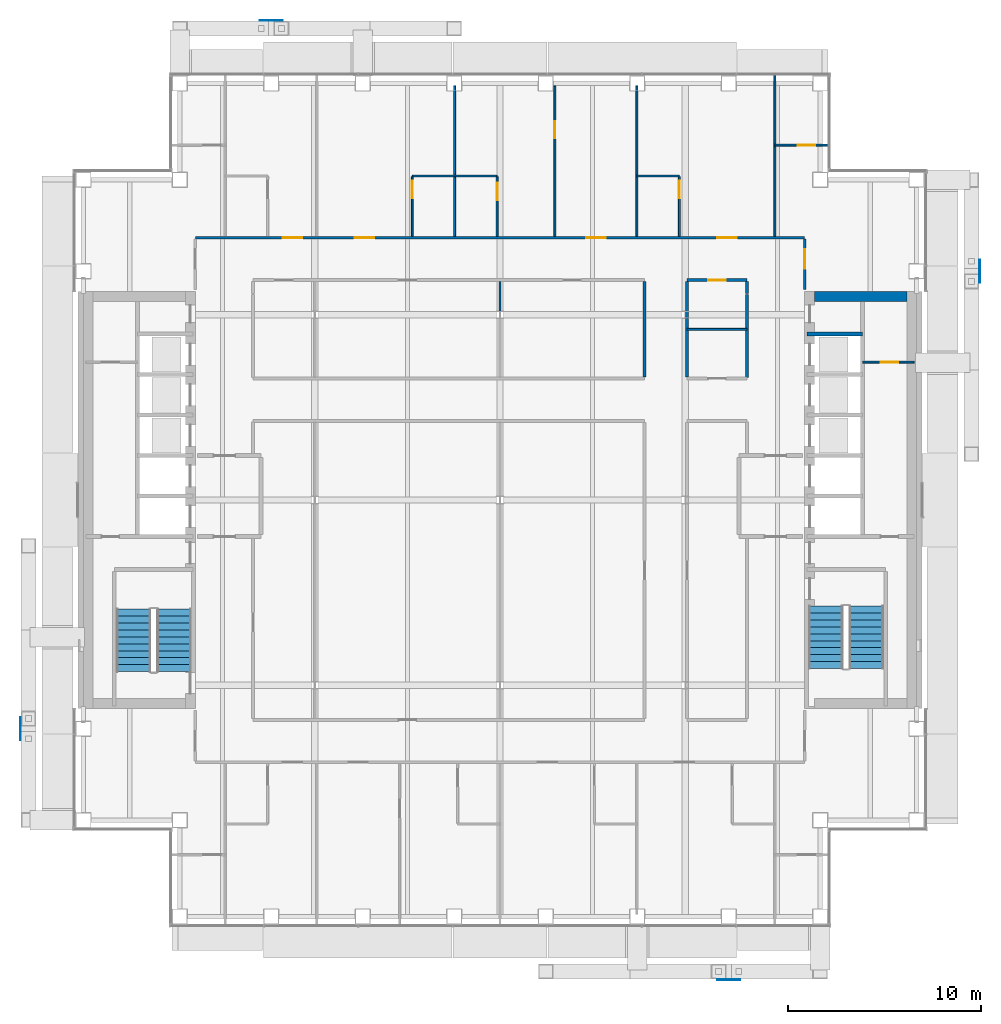
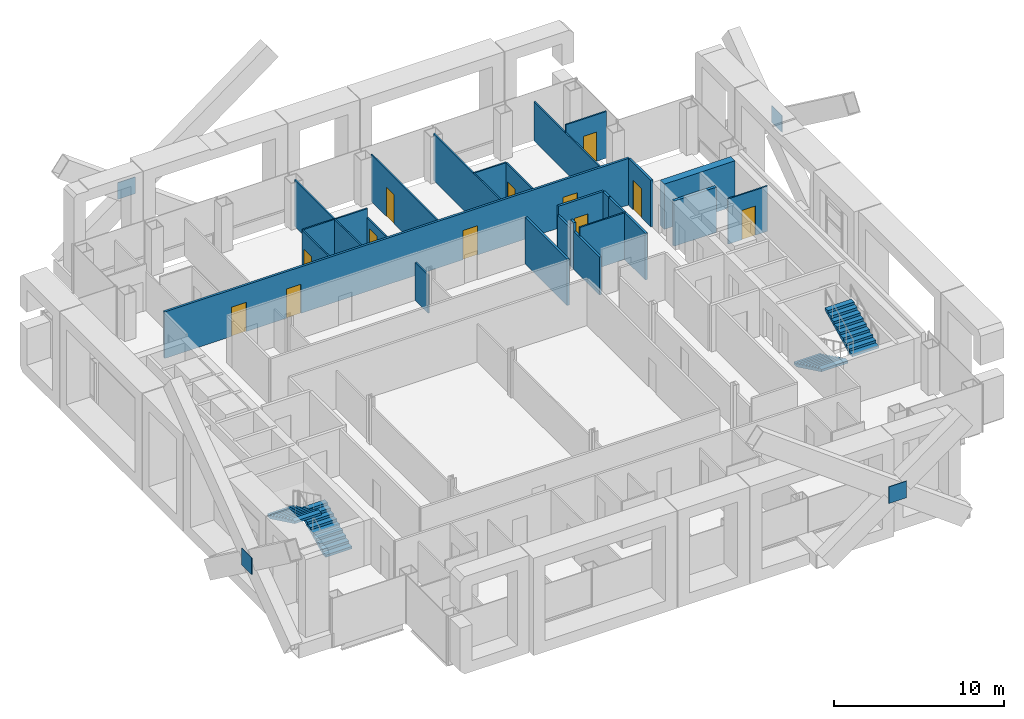
# One storey, part 15 of 22: 25 walls, 12 doors, 4 discrete accessories, 4 stair flights, 12 openings, 2 elements without a shape of their own.
"""IFC4 building model written with IfcOpenShell, lengths in metres."""

from ifc_helpers import new_model, si_unit, direction, frame, frame_2d, origin, origin_2d, place, context, subcontext, project, spatial, polyline, rectangle, outline, extrude, material, layer, layer_set, type_object, element, fill, aggregate, save


model = new_model("IFC4")

# Units and contexts
model_context = context("Model", 3, precision=1e-05, world=origin(), true_north=direction((0.0, 1.0)))
body_context = subcontext(model_context, "Body", "Model", "MODEL_VIEW")
ifc_project = project(units=[si_unit("LENGTHUNIT", "METRE"), si_unit("AREAUNIT", "SQUARE_METRE"), si_unit("VOLUMEUNIT", "CUBIC_METRE"), si_unit("PLANEANGLEUNIT", "RADIAN"), si_unit("MASSUNIT", "GRAM", prefix="KILO")], contexts=[model_context])

# Site, building, storey
site_placement = place(None, origin())
site = spatial("IfcSite", under=ifc_project, at=site_placement, CompositionType="ELEMENT")
building_placement = place(site_placement, origin())
building = spatial("IfcBuilding", under=site, at=building_placement, Name="Cobrizo Arcos Hotel Tower", CompositionType="ELEMENT")
storey_placement = place(building_placement, frame((0.0, 0.0, 176.0)))
storey = spatial("IfcBuildingStorey", under=building, at=storey_placement, Name="L45", CompositionType="ELEMENT", Elevation=176.0)

# Wall, opening, door
ifc_material_1 = material(Name="Gypsum board partition")
ifc_layer_1 = layer(ifc_material_1, 0.14990234375)
ifc_layer_set_1 = layer_set([ifc_layer_1], Name="Corridor wall EI 60 150")
wall_type_1 = type_object("IfcWallType", Name="Corridor wall EI 60 150", PredefinedType="PARTITIONING", material=ifc_layer_set_1)
wall_1_placement = place(storey_placement, frame((9.699951171875, 11.39990234375, 0.0), z_axis=(0.0, 0.0, 1.0), x_axis=(1.0, 0.0, 0.0)))
wall_1 = element("IfcWall", 1, at=wall_1_placement, inside=storey, type_object=wall_type_1, Name="Partition 036", PredefinedType="PARTITIONING", context=body_context, shape_type="SweptSolid", body=[
    extrude(rectangle(XDim=3.10009765625, YDim=0.14990234375, at=frame_2d((1.550048828125, 0.0))), origin(), (0.0, 0.0, 1.0), 3.35009765625),
])
opening_1_placement = place(wall_1_placement, frame((1.10009765625, 0.0, 0.0)))
opening_1 = element("IfcOpeningElement", 2, at=opening_1_placement, cuts=wall_1, Name="Opening ED-14", PredefinedType="OPENING", context=body_context, shape_type="SweptSolid", body=[
    extrude(rectangle(XDim=0.89990234375, YDim=2.10009765625, at=frame_2d((0.449951171875, 1.050048828125))), frame((0.0, 0.0869140625, 0.0), z_axis=(0.0, -1.0, 0.0), x_axis=(1.0, 0.0, 0.0)), (0.0, 0.0, 1.0), 0.173828125),
])
ifc_material_2 = material(Name="Timber door leaf", Category="wood")
door_type_1 = type_object("IfcDoorType", Name="En-suite door 900x2100", OperationType="SINGLE_SWING_LEFT", PredefinedType="DOOR", material=ifc_material_2)
door_1_placement = place(opening_1_placement, origin())
door_1 = element("IfcDoor", 3, at=door_1_placement, inside=storey, type_object=door_type_1, Name="Door ED-14", OperationType="SINGLE_SWING_RIGHT", OverallHeight=2.10009765625, OverallWidth=0.89990234375, PredefinedType="DOOR", context=body_context, shape_type="SweptSolid", body=[
    extrude(rectangle(XDim=0.89990234375, YDim=2.10009765625, at=frame_2d((0.449951171875, 1.050048828125))), frame((0.0, 0.02490234375, 0.0), z_axis=(0.0, -1.0, 0.0), x_axis=(1.0, 0.0, 0.0)), (0.0, 0.0, 1.0), 0.050048828125),
])
fill(opening_1, door_1)

# Wall, openings, doors
wall_2_placement = place(storey_placement, frame((-15.800048828125, 13.60009765625, 0.0), z_axis=(0.0, 0.0, 1.0), x_axis=(1.0, 0.0, 0.0)))
wall_2 = element("IfcWall", 4, at=wall_2_placement, inside=storey, type_object=wall_type_1, Name="Partition 037", PredefinedType="PARTITIONING", context=body_context, shape_type="SweptSolid", body=[
    extrude(rectangle(XDim=31.60009765625, YDim=0.14990234375, at=frame_2d((15.800048828125, 0.0))), origin(), (0.0, 0.0, 1.0), 3.35009765625),
])
opening_2_placement = place(wall_2_placement, frame((4.54296875, 0.0, 0.0)))
opening_2 = element("IfcOpeningElement", 5, at=opening_2_placement, cuts=wall_2, Name="Opening GD-01", PredefinedType="OPENING", context=body_context, shape_type="SweptSolid", body=[
    extrude(rectangle(XDim=1.0, YDim=2.10009765625, at=frame_2d((0.5, 1.050048828125))), frame((0.0, 0.0869140625, 0.0), z_axis=(0.0, -1.0, 0.0), x_axis=(1.0, 0.0, 0.0)), (0.0, 0.0, 1.0), 0.173828125),
])
opening_3_placement = place(wall_2_placement, frame((8.27099609375, 0.0, 0.0)))
opening_3 = element("IfcOpeningElement", 6, at=opening_3_placement, cuts=wall_2, Name="Opening GD-02", PredefinedType="OPENING", context=body_context, shape_type="SweptSolid", body=[
    extrude(rectangle(XDim=1.0, YDim=2.10009765625, at=frame_2d((0.5, 1.050048828125))), frame((0.0, 0.0869140625, 0.0), z_axis=(0.0, -1.0, 0.0), x_axis=(1.0, 0.0, 0.0)), (0.0, 0.0, 1.0), 0.173828125),
])
opening_4_placement = place(wall_2_placement, frame((20.280029296875, 0.0, 0.0)))
opening_4 = element("IfcOpeningElement", 7, at=opening_4_placement, cuts=wall_2, Name="Opening GD-03", PredefinedType="OPENING", context=body_context, shape_type="SweptSolid", body=[
    extrude(rectangle(XDim=1.0, YDim=2.10009765625, at=frame_2d((0.5, 1.050048828125))), frame((0.0, 0.0869140625, 0.0), z_axis=(0.0, -1.0, 0.0), x_axis=(1.0, 0.0, 0.0)), (0.0, 0.0, 1.0), 0.173828125),
])
opening_5_placement = place(wall_2_placement, frame((27.072021484375, 0.0, 0.0)))
opening_5 = element("IfcOpeningElement", 8, at=opening_5_placement, cuts=wall_2, Name="Opening GD-04", PredefinedType="OPENING", context=body_context, shape_type="SweptSolid", body=[
    extrude(rectangle(XDim=1.0, YDim=2.10009765625, at=frame_2d((0.5, 1.050048828125))), frame((0.0, 0.0869140625, 0.0), z_axis=(0.0, -1.0, 0.0), x_axis=(1.0, 0.0, 0.0)), (0.0, 0.0, 1.0), 0.173828125),
])
door_type_2 = type_object("IfcDoorType", Name="Guest room door FD30S 1000x2100", OperationType="SINGLE_SWING_LEFT", PredefinedType="DOOR", material=ifc_material_2)
door_2_placement = place(opening_2_placement, origin())
door_2 = element("IfcDoor", 9, at=door_2_placement, inside=storey, type_object=door_type_2, Name="Door GD-01", OperationType="SINGLE_SWING_RIGHT", OverallHeight=2.10009765625, OverallWidth=1.0, PredefinedType="DOOR", context=body_context, shape_type="SweptSolid", body=[
    extrude(rectangle(XDim=1.0, YDim=2.10009765625, at=frame_2d((0.5, 1.050048828125))), frame((0.0, 0.02490234375, 0.0), z_axis=(0.0, -1.0, 0.0), x_axis=(1.0, 0.0, 0.0)), (0.0, 0.0, 1.0), 0.050048828125),
])
fill(opening_2, door_2)
door_3_placement = place(opening_3_placement, origin())
door_3 = element("IfcDoor", 10, at=door_3_placement, inside=storey, type_object=door_type_2, Name="Door GD-02", OperationType="SINGLE_SWING_RIGHT", OverallHeight=2.10009765625, OverallWidth=1.0, PredefinedType="DOOR", context=body_context, shape_type="SweptSolid", body=[
    extrude(rectangle(XDim=1.0, YDim=2.10009765625, at=frame_2d((0.5, 1.050048828125))), frame((0.0, 0.02490234375, 0.0), z_axis=(0.0, -1.0, 0.0), x_axis=(1.0, 0.0, 0.0)), (0.0, 0.0, 1.0), 0.050048828125),
])
fill(opening_3, door_3)
door_4_placement = place(opening_4_placement, origin())
door_4 = element("IfcDoor", 11, at=door_4_placement, inside=storey, type_object=door_type_2, Name="Door GD-03", OperationType="SINGLE_SWING_RIGHT", OverallHeight=2.10009765625, OverallWidth=1.0, PredefinedType="DOOR", context=body_context, shape_type="SweptSolid", body=[
    extrude(rectangle(XDim=1.0, YDim=2.10009765625, at=frame_2d((0.5, 1.050048828125))), frame((0.0, 0.02490234375, 0.0), z_axis=(0.0, -1.0, 0.0), x_axis=(1.0, 0.0, 0.0)), (0.0, 0.0, 1.0), 0.050048828125),
])
fill(opening_4, door_4)
door_5_placement = place(opening_5_placement, origin())
door_5 = element("IfcDoor", 12, at=door_5_placement, inside=storey, type_object=door_type_2, Name="Door GD-04", OperationType="SINGLE_SWING_RIGHT", OverallHeight=2.10009765625, OverallWidth=1.0, PredefinedType="DOOR", context=body_context, shape_type="SweptSolid", body=[
    extrude(rectangle(XDim=1.0, YDim=2.10009765625, at=frame_2d((0.5, 1.050048828125))), frame((0.0, 0.02490234375, 0.0), z_axis=(0.0, -1.0, 0.0), x_axis=(1.0, 0.0, 0.0)), (0.0, 0.0, 1.0), 0.050048828125),
])
fill(opening_5, door_5)

# Walls
wall_3_placement = place(storey_placement, frame((7.5, 6.375, 0.0), z_axis=(0.0, 0.0, 1.0), x_axis=(0.0, 1.0, 0.0)))
element("IfcWall", 13, at=wall_3_placement, inside=storey, type_object=wall_type_1, Name="Partition 087", PredefinedType="PARTITIONING", context=body_context, shape_type="SweptSolid", body=[
    extrude(rectangle(XDim=4.949951171875, YDim=0.14990234375, at=frame_2d((2.47509765625, 0.0))), origin(), (0.0, 0.0, 1.0), 3.35009765625),
])
wall_4_placement = place(storey_placement, frame((9.699951171875, 6.375, 0.0), z_axis=(0.0, 0.0, 1.0), x_axis=(0.0, 1.0, 0.0)))
element("IfcWall", 14, at=wall_4_placement, inside=storey, type_object=wall_type_1, Name="Partition 094", PredefinedType="PARTITIONING", context=body_context, shape_type="SweptSolid", body=[
    extrude(rectangle(XDim=3.0380859375, YDim=0.14990234375, at=frame_2d((1.51904296875, 0.0))), origin(), (0.0, 0.0, 1.0), 2.72802734375),
])
wall_5_placement = place(storey_placement, frame((9.699951171875, 9.4130859375, 0.0), z_axis=(0.0, 0.0, 1.0), x_axis=(0.0, 1.0, 0.0)))
element("IfcWall", 15, at=wall_5_placement, inside=storey, type_object=wall_type_1, Name="Partition 095", PredefinedType="PARTITIONING", context=body_context, shape_type="SweptSolid", body=[
    extrude(rectangle(XDim=0.3740234375, YDim=0.14990234375, at=frame_2d((0.18701171875, 0.0))), origin(), (0.0, 0.0, 1.0), 3.35009765625),
])
wall_6_placement = place(storey_placement, frame((9.699951171875, 9.787109375, 0.0), z_axis=(0.0, 0.0, 1.0), x_axis=(0.0, 1.0, 0.0)))
element("IfcWall", 16, at=wall_6_placement, inside=storey, type_object=wall_type_1, Name="Partition 096", PredefinedType="PARTITIONING", context=body_context, shape_type="SweptSolid", body=[
    extrude(rectangle(XDim=1.537841796875, YDim=0.14990234375, at=frame_2d((0.76904296875, 0.0))), origin(), (0.0, 0.0, 1.0), 2.72802734375),
])
wall_7_placement = place(storey_placement, frame((12.800048828125, 6.35009765625, 0.0), z_axis=(0.0, 0.0, 1.0), x_axis=(0.0, 1.0, 0.0)))
element("IfcWall", 17, at=wall_7_placement, inside=storey, type_object=wall_type_1, Name="Partition 101", PredefinedType="PARTITIONING", context=body_context, shape_type="SweptSolid", body=[
    extrude(rectangle(XDim=4.2998046875, YDim=0.14990234375, at=frame_2d((2.14990234375, 0.0))), origin(), (0.0, 0.0, 1.0), 3.35009765625),
])
wall_8_placement = place(storey_placement, frame((12.800048828125, 10.699951171875, 0.0), z_axis=(0.0, 0.0, 1.0), x_axis=(0.0, 1.0, 0.0)))
element("IfcWall", 18, at=wall_8_placement, inside=storey, type_object=wall_type_1, Name="Partition 102", PredefinedType="PARTITIONING", context=body_context, shape_type="SweptSolid", body=[
    extrude(rectangle(XDim=0.625, YDim=0.14990234375, at=frame_2d((0.3125, 0.0))), origin(), (0.0, 0.0, 1.0), 3.35009765625),
])

# Wall, opening, door
wall_9_placement = place(storey_placement, frame((15.800048828125, 10.919921875, 0.0), z_axis=(0.0, 0.0, 1.0), x_axis=(0.0, 1.0, 0.0)))
wall_9 = element("IfcWall", 19, at=wall_9_placement, inside=storey, type_object=wall_type_1, Name="Partition 106", PredefinedType="PARTITIONING", context=body_context, shape_type="SweptSolid", body=[
    extrude(rectangle(XDim=2.60498046875, YDim=0.14990234375, at=frame_2d((1.302490234375, 0.0))), origin(), (0.0, 0.0, 1.0), 3.35009765625),
])
opening_6_placement = place(wall_9_placement, frame((1.080078125, 0.0, 0.0)))
opening_6 = element("IfcOpeningElement", 20, at=opening_6_placement, cuts=wall_9, Name="Opening GD-12", PredefinedType="OPENING", context=body_context, shape_type="SweptSolid", body=[
    extrude(rectangle(XDim=1.0, YDim=2.10009765625, at=frame_2d((0.5, 1.050048828125))), frame((0.0, 0.0869140625, 0.0), z_axis=(0.0, -1.0, 0.0), x_axis=(1.0, 0.0, 0.0)), (0.0, 0.0, 1.0), 0.173828125),
])
door_6_placement = place(opening_6_placement, origin())
door_6 = element("IfcDoor", 21, at=door_6_placement, inside=storey, type_object=door_type_2, Name="Door GD-12", OperationType="SINGLE_SWING_RIGHT", OverallHeight=2.10009765625, OverallWidth=1.0, PredefinedType="DOOR", context=body_context, shape_type="SweptSolid", body=[
    extrude(rectangle(XDim=1.0, YDim=2.10009765625, at=frame_2d((0.5, 1.050048828125))), frame((0.0, 0.02490234375, 0.0), z_axis=(0.0, -1.0, 0.0), x_axis=(1.0, 0.0, 0.0)), (0.0, 0.0, 1.0), 0.050048828125),
])
fill(opening_6, door_6)

ifc_layer_2 = layer(ifc_material_1, 0.10009765625)
ifc_layer_set_2 = layer_set([ifc_layer_2], Name="Partition EI 30 100")
wall_type_2 = type_object("IfcWallType", Name="Partition EI 30 100", PredefinedType="PARTITIONING", material=ifc_layer_set_2)
wall_10_placement = place(storey_placement, frame((18.800048828125, 7.14990234375, 0.0), z_axis=(0.0, 0.0, 1.0), x_axis=(1.0, 0.0, 0.0)))
wall_10 = element("IfcWall", 22, at=wall_10_placement, inside=storey, type_object=wall_type_2, Name="Partition 031", PredefinedType="PARTITIONING", context=body_context, shape_type="SweptSolid", body=[
    extrude(rectangle(XDim=2.679931640625, YDim=0.10009765625, at=frame_2d((1.33984375, 0.0))), origin(), (0.0, 0.0, 1.0), 3.25),
])
opening_7_placement = place(wall_10_placement, frame((0.949951171875, 0.0, 0.0)))
opening_7 = element("IfcOpeningElement", 23, at=opening_7_placement, cuts=wall_10, Name="Opening RD-06", PredefinedType="OPENING", context=body_context, shape_type="SweptSolid", body=[
    extrude(rectangle(XDim=0.89990234375, YDim=2.10009765625, at=frame_2d((0.449951171875, 1.050048828125))), frame((0.0, 0.06201171875, 0.0), z_axis=(0.0, -1.0, 0.0), x_axis=(1.0, 0.0, 0.0)), (0.0, 0.0, 1.0), 0.1240234375),
])
door_type_3 = type_object("IfcDoorType", Name="Room door FD30 900x2100", OperationType="SINGLE_SWING_LEFT", PredefinedType="DOOR", material=ifc_material_2)
door_7_placement = place(opening_7_placement, origin())
door_7 = element("IfcDoor", 24, at=door_7_placement, inside=storey, type_object=door_type_3, Name="Door RD-06", OperationType="SINGLE_SWING_LEFT", OverallHeight=2.10009765625, OverallWidth=0.89990234375, PredefinedType="DOOR", context=body_context, shape_type="SweptSolid", body=[
    extrude(rectangle(XDim=0.89990234375, YDim=2.10009765625, at=frame_2d((0.449951171875, 1.050048828125))), frame((0.0, 0.02490234375, 0.0), z_axis=(0.0, -1.0, 0.0), x_axis=(1.0, 0.0, 0.0)), (0.0, 0.0, 1.0), 0.050048828125),
])
fill(opening_7, door_7)

# Walls
wall_11_placement = place(storey_placement, frame((9.699951171875, 8.85009765625, 0.0), z_axis=(0.0, 0.0, 1.0), x_axis=(1.0, 0.0, 0.0)))
element("IfcWall", 25, at=wall_11_placement, inside=storey, type_object=wall_type_2, Name="Partition 034", PredefinedType="PARTITIONING", context=body_context, shape_type="SweptSolid", body=[
    extrude(rectangle(XDim=3.10009765625, YDim=0.10009765625, at=frame_2d((1.550048828125, 0.0))), origin(), (0.0, 0.0, 1.0), 3.35009765625),
])
wall_12_placement = place(storey_placement, frame((-4.550048828125, 16.800048828125, 0.0), z_axis=(0.0, 0.0, 1.0), x_axis=(1.0, 0.0, 0.0)))
element("IfcWall", 26, at=wall_12_placement, inside=storey, type_object=wall_type_2, Name="Partition 039", PredefinedType="PARTITIONING", context=body_context, shape_type="SweptSolid", body=[
    extrude(rectangle(XDim=4.400146484375, YDim=0.10009765625, at=frame_2d((2.2001953125, 0.0))), origin(), (0.0, 0.0, 1.0), 3.35009765625),
])
wall_13_placement = place(storey_placement, frame((7.10009765625, 16.800048828125, 0.0), z_axis=(0.0, 0.0, 1.0), x_axis=(1.0, 0.0, 0.0)))
element("IfcWall", 27, at=wall_13_placement, inside=storey, type_object=wall_type_2, Name="Partition 040", PredefinedType="PARTITIONING", context=body_context, shape_type="SweptSolid", body=[
    extrude(rectangle(XDim=2.199951171875, YDim=0.10009765625, at=frame_2d((1.10009765625, 0.0))), origin(), (0.0, 0.0, 1.0), 3.35009765625),
])

# Wall, opening, door
wall_14_placement = place(storey_placement, frame((14.25, 18.39990234375, 0.0), z_axis=(0.0, 0.0, 1.0), x_axis=(1.0, 0.0, 0.0)))
wall_14 = element("IfcWall", 28, at=wall_14_placement, inside=storey, type_object=wall_type_2, Name="Partition 042", PredefinedType="PARTITIONING", context=body_context, shape_type="SweptSolid", body=[
    extrude(rectangle(XDim=2.780029296875, YDim=0.10009765625, at=frame_2d((1.39013671875, 0.0))), origin(), (0.0, 0.0, 1.0), 3.35009765625),
])
opening_8_placement = place(wall_14_placement, frame((1.18896484375, 0.0, 0.0)))
opening_8 = element("IfcOpeningElement", 29, at=opening_8_placement, cuts=wall_14, Name="Opening ED-12", PredefinedType="OPENING", context=body_context, shape_type="SweptSolid", body=[
    extrude(rectangle(XDim=0.89990234375, YDim=2.10009765625, at=frame_2d((0.449951171875, 1.050048828125))), frame((0.0, 0.06201171875, 0.0), z_axis=(0.0, -1.0, 0.0), x_axis=(1.0, 0.0, 0.0)), (0.0, 0.0, 1.0), 0.1240234375),
])
door_8_placement = place(opening_8_placement, origin())
door_8 = element("IfcDoor", 30, at=door_8_placement, inside=storey, type_object=door_type_1, Name="Door ED-12", OperationType="SINGLE_SWING_RIGHT", OverallHeight=2.10009765625, OverallWidth=0.89990234375, PredefinedType="DOOR", context=body_context, shape_type="SweptSolid", body=[
    extrude(rectangle(XDim=0.89990234375, YDim=2.10009765625, at=frame_2d((0.449951171875, 1.050048828125))), frame((0.0, 0.02490234375, 0.0), z_axis=(0.0, -1.0, 0.0), x_axis=(1.0, 0.0, 0.0)), (0.0, 0.0, 1.0), 0.050048828125),
])
fill(opening_8, door_8)

wall_15_placement = place(storey_placement, frame((-4.550048828125, 13.675048828125, 0.0), z_axis=(0.0, 0.0, 1.0), x_axis=(0.0, 1.0, 0.0)))
wall_15 = element("IfcWall", 31, at=wall_15_placement, inside=storey, type_object=wall_type_2, Name="Partition 068", PredefinedType="PARTITIONING", context=body_context, shape_type="SweptSolid", body=[
    extrude(rectangle(XDim=3.074951171875, YDim=0.10009765625, at=frame_2d((1.53759765625, 0.0))), origin(), (0.0, 0.0, 1.0), 3.35009765625),
])
opening_9_placement = place(wall_15_placement, frame((1.970947265625, 0.0, 0.0)))
opening_9 = element("IfcOpeningElement", 32, at=opening_9_placement, cuts=wall_15, Name="Opening ED-02", PredefinedType="OPENING", context=body_context, shape_type="SweptSolid", body=[
    extrude(rectangle(XDim=0.89990234375, YDim=2.10009765625, at=frame_2d((0.449951171875, 1.050048828125))), frame((0.0, 0.06201171875, 0.0), z_axis=(0.0, -1.0, 0.0), x_axis=(1.0, 0.0, 0.0)), (0.0, 0.0, 1.0), 0.1240234375),
])
door_9_placement = place(opening_9_placement, origin())
door_9 = element("IfcDoor", 33, at=door_9_placement, inside=storey, type_object=door_type_1, Name="Door ED-02", OperationType="SINGLE_SWING_RIGHT", OverallHeight=2.10009765625, OverallWidth=0.89990234375, PredefinedType="DOOR", context=body_context, shape_type="SweptSolid", body=[
    extrude(rectangle(XDim=0.89990234375, YDim=2.10009765625, at=frame_2d((0.449951171875, 1.050048828125))), frame((0.0, 0.02490234375, 0.0), z_axis=(0.0, -1.0, 0.0), x_axis=(1.0, 0.0, 0.0)), (0.0, 0.0, 1.0), 0.050048828125),
])
fill(opening_9, door_9)

# Walls
wall_16_placement = place(storey_placement, frame((-2.35009765625, 13.675048828125, 0.0), z_axis=(0.0, 0.0, 1.0), x_axis=(0.0, 1.0, 0.0)))
element("IfcWall", 34, at=wall_16_placement, inside=storey, type_object=wall_type_2, Name="Partition 069", PredefinedType="PARTITIONING", context=body_context, shape_type="SweptSolid", body=[
    extrude(rectangle(XDim=3.074951171875, YDim=0.10009765625, at=frame_2d((1.53759765625, 0.0))), origin(), (0.0, 0.0, 1.0), 3.35009765625),
])
wall_17_placement = place(storey_placement, frame((-2.35009765625, 16.85009765625, 0.0), z_axis=(0.0, 0.0, 1.0), x_axis=(0.0, 1.0, 0.0)))
element("IfcWall", 35, at=wall_17_placement, inside=storey, type_object=wall_type_2, Name="Partition 070", PredefinedType="PARTITIONING", context=body_context, shape_type="SweptSolid", body=[
    extrude(rectangle(XDim=4.6298828125, YDim=0.10009765625, at=frame_2d((2.31494140625, 0.0))), origin(), (0.0, 0.0, 1.0), 3.35009765625),
])

# Wall, opening, door
wall_18_placement = place(storey_placement, frame((-0.14990234375, 13.675048828125, 0.0), z_axis=(0.0, 0.0, 1.0), x_axis=(0.0, 1.0, 0.0)))
wall_18 = element("IfcWall", 36, at=wall_18_placement, inside=storey, type_object=wall_type_2, Name="Partition 072", PredefinedType="PARTITIONING", context=body_context, shape_type="SweptSolid", body=[
    extrude(rectangle(XDim=3.074951171875, YDim=0.10009765625, at=frame_2d((1.53759765625, 0.0))), origin(), (0.0, 0.0, 1.0), 2.72802734375),
])
opening_10_placement = place(wall_18_placement, frame((1.875, 0.0, 0.0)))
opening_10 = element("IfcOpeningElement", 37, at=opening_10_placement, cuts=wall_18, Name="Opening ED-03", PredefinedType="OPENING", context=body_context, shape_type="SweptSolid", body=[
    extrude(rectangle(XDim=0.89990234375, YDim=2.10009765625, at=frame_2d((0.449951171875, 1.050048828125))), frame((0.0, 0.06201171875, 0.0), z_axis=(0.0, -1.0, 0.0), x_axis=(1.0, 0.0, 0.0)), (0.0, 0.0, 1.0), 0.1240234375),
])
door_10_placement = place(opening_10_placement, origin())
door_10 = element("IfcDoor", 38, at=door_10_placement, inside=storey, type_object=door_type_1, Name="Door ED-03", OperationType="SINGLE_SWING_LEFT", OverallHeight=2.10009765625, OverallWidth=0.89990234375, PredefinedType="DOOR", context=body_context, shape_type="SweptSolid", body=[
    extrude(rectangle(XDim=0.89990234375, YDim=2.10009765625, at=frame_2d((0.449951171875, 1.050048828125))), frame((0.0, 0.02490234375, 0.0), z_axis=(0.0, -1.0, 0.0), x_axis=(1.0, 0.0, 0.0)), (0.0, 0.0, 1.0), 0.050048828125),
])
fill(opening_10, door_10)

# Wall
wall_19_placement = place(storey_placement, frame((0.0, 9.787109375, 0.0), z_axis=(0.0, 0.0, 1.0), x_axis=(0.0, 1.0, 0.0)))
element("IfcWall", 39, at=wall_19_placement, inside=storey, type_object=wall_type_2, Name="Partition 081", PredefinedType="PARTITIONING", context=body_context, shape_type="SweptSolid", body=[
    extrude(rectangle(XDim=1.537841796875, YDim=0.10009765625, at=frame_2d((0.76904296875, 0.0))), origin(), (0.0, 0.0, 1.0), 2.72802734375),
])

# Wall, opening, door
wall_20_placement = place(storey_placement, frame((2.85009765625, 13.675048828125, 0.0), z_axis=(0.0, 0.0, 1.0), x_axis=(0.0, 1.0, 0.0)))
wall_20 = element("IfcWall", 40, at=wall_20_placement, inside=storey, type_object=wall_type_2, Name="Partition 082", PredefinedType="PARTITIONING", context=body_context, shape_type="SweptSolid", body=[
    extrude(rectangle(XDim=7.804931640625, YDim=0.10009765625, at=frame_2d((3.90234375, 0.0))), origin(), (0.0, 0.0, 1.0), 3.35009765625),
])
opening_11_placement = place(wall_20_placement, frame((5.074951171875, 0.0, 0.0)))
opening_11 = element("IfcOpeningElement", 41, at=opening_11_placement, cuts=wall_20, Name="Opening RD-07", PredefinedType="OPENING", context=body_context, shape_type="SweptSolid", body=[
    extrude(rectangle(XDim=0.89990234375, YDim=2.10009765625, at=frame_2d((0.449951171875, 1.050048828125))), frame((0.0, 0.06201171875, 0.0), z_axis=(0.0, -1.0, 0.0), x_axis=(1.0, 0.0, 0.0)), (0.0, 0.0, 1.0), 0.1240234375),
])
door_11_placement = place(opening_11_placement, origin())
door_11 = element("IfcDoor", 42, at=door_11_placement, inside=storey, type_object=door_type_3, Name="Door RD-07", OperationType="SINGLE_SWING_LEFT", OverallHeight=2.10009765625, OverallWidth=0.89990234375, PredefinedType="DOOR", context=body_context, shape_type="SweptSolid", body=[
    extrude(rectangle(XDim=0.89990234375, YDim=2.10009765625, at=frame_2d((0.449951171875, 1.050048828125))), frame((0.0, 0.02490234375, 0.0), z_axis=(0.0, -1.0, 0.0), x_axis=(1.0, 0.0, 0.0)), (0.0, 0.0, 1.0), 0.050048828125),
])
fill(opening_11, door_11)

# Wall
wall_21_placement = place(storey_placement, frame((7.10009765625, 13.675048828125, 0.0), z_axis=(0.0, 0.0, 1.0), x_axis=(0.0, 1.0, 0.0)))
element("IfcWall", 43, at=wall_21_placement, inside=storey, type_object=wall_type_2, Name="Partition 085", PredefinedType="PARTITIONING", context=body_context, shape_type="SweptSolid", body=[
    extrude(rectangle(XDim=7.804931640625, YDim=0.10009765625, at=frame_2d((3.90234375, 0.0))), origin(), (0.0, 0.0, 1.0), 3.35009765625),
])

# Wall, opening, door
wall_22_placement = place(storey_placement, frame((9.300048828125, 13.675048828125, 0.0), z_axis=(0.0, 0.0, 1.0), x_axis=(0.0, 1.0, 0.0)))
wall_22 = element("IfcWall", 44, at=wall_22_placement, inside=storey, type_object=wall_type_2, Name="Partition 088", PredefinedType="PARTITIONING", context=body_context, shape_type="SweptSolid", body=[
    extrude(rectangle(XDim=3.074951171875, YDim=0.10009765625, at=frame_2d((1.53759765625, 0.0))), origin(), (0.0, 0.0, 1.0), 3.35009765625),
])
opening_12_placement = place(wall_22_placement, frame((1.970947265625, 0.0, 0.0)))
opening_12 = element("IfcOpeningElement", 45, at=opening_12_placement, cuts=wall_22, Name="Opening ED-04", PredefinedType="OPENING", context=body_context, shape_type="SweptSolid", body=[
    extrude(rectangle(XDim=0.89990234375, YDim=2.10009765625, at=frame_2d((0.449951171875, 1.050048828125))), frame((0.0, 0.06201171875, 0.0), z_axis=(0.0, -1.0, 0.0), x_axis=(1.0, 0.0, 0.0)), (0.0, 0.0, 1.0), 0.1240234375),
])
door_12_placement = place(opening_12_placement, origin())
door_12 = element("IfcDoor", 46, at=door_12_placement, inside=storey, type_object=door_type_1, Name="Door ED-04", OperationType="SINGLE_SWING_LEFT", OverallHeight=2.10009765625, OverallWidth=0.89990234375, PredefinedType="DOOR", context=body_context, shape_type="SweptSolid", body=[
    extrude(rectangle(XDim=0.89990234375, YDim=2.10009765625, at=frame_2d((0.449951171875, 1.050048828125))), frame((0.0, 0.02490234375, 0.0), z_axis=(0.0, -1.0, 0.0), x_axis=(1.0, 0.0, 0.0)), (0.0, 0.0, 1.0), 0.050048828125),
])
fill(opening_12, door_12)

# Walls
wall_23_placement = place(storey_placement, frame((14.25, 13.675048828125, 0.0), z_axis=(0.0, 0.0, 1.0), x_axis=(0.0, 1.0, 0.0)))
element("IfcWall", 47, at=wall_23_placement, inside=storey, type_object=wall_type_2, Name="Partition 104", PredefinedType="PARTITIONING", context=body_context, shape_type="SweptSolid", body=[
    extrude(rectangle(XDim=8.35498046875, YDim=0.10009765625, at=frame_2d((4.177490234375, 0.0))), origin(), (0.0, 0.0, 1.0), 2.81689453125),
])
ifc_material_3 = material(Name="Concrete f'c 50 MPa", Category="concrete")
ifc_layer_3 = layer(ifc_material_3, 0.5)
ifc_layer_set_3 = layer_set([ifc_layer_3], Name="RC core wall 500 f'c 50")
wall_type_3 = type_object("IfcWallType", Name="RC core wall 500 f'c 50", PredefinedType="SHEAR", material=ifc_layer_set_3)
wall_24_placement = place(storey_placement, frame((16.300048828125, 10.550048828125, 0.0), z_axis=(0.0, 0.0, 1.0), x_axis=(1.0, 0.0, 0.0)))
element("IfcWall", 48, at=wall_24_placement, inside=storey, type_object=wall_type_3, Name="Core wall CW3, east core, north end, L45", PredefinedType="SHEAR", context=body_context, shape_type="SweptSolid", body=[
    extrude(rectangle(XDim=4.800048828125, YDim=0.5, at=frame_2d((2.39990234375, 0.0))), origin(), (0.0, 0.0, 1.0), 3.25),
])
ifc_layer_4 = layer(ifc_material_1, 0.199951171875)
ifc_layer_set_4 = layer_set([ifc_layer_4], Name="Shaft wall EI 120 200")
wall_type_4 = type_object("IfcWallType", Name="Shaft wall EI 120 200", PredefinedType="PARTITIONING", material=ifc_layer_set_4)
wall_25_placement = place(storey_placement, frame((15.919921875, 8.60009765625, 0.0), z_axis=(0.0, 0.0, 1.0), x_axis=(1.0, 0.0, 0.0)))
element("IfcWall", 49, at=wall_25_placement, inside=storey, type_object=wall_type_4, Name="Partition 033", PredefinedType="PARTITIONING", context=body_context, shape_type="SweptSolid", body=[
    extrude(rectangle(XDim=2.880126953125, YDim=0.199951171875, at=frame_2d((1.43994140625, 0.0))), origin(), (0.0, 0.0, 1.0), 3.25),
])

# Stair, stair flights
ifc_material_4 = material(Name="Concrete f'c 40 MPa", Category="concrete")
stair_type = type_object("IfcStairType", Name="Exit stair", PredefinedType="HALF_TURN_STAIR", material=ifc_material_4)
stair_1_placement = place(storey_placement, origin())
stair_1 = element("IfcStair", 50, at=stair_1_placement, inside=storey, type_object=stair_type, Name="L45 Exit stair ST-W", PredefinedType="HALF_TURN_STAIR")
stair_flight_type = type_object("IfcStairFlightType", Name="Exit stair flight", PredefinedType="STRAIGHT", material=ifc_material_4)
stair_flight_1_placement = place(storey_placement, frame((-16.89990234375, -8.89990234375, 0.0), z_axis=(0.0, 0.0, 1.0), x_axis=(0.0, 1.0, 0.0)))
stair_flight_1 = element("IfcStairFlight", 51, at=stair_flight_1_placement, type_object=stair_flight_type, Name="ST-W flight 1", NumberOfRisers=10, NumberOfTreads=9, PredefinedType="STRAIGHT", RiserHeight=0.175, TreadLength=0.36, context=body_context, shape_type="SweptSolid", body=[
    extrude(outline(polyline([(0.0, 0.0), (0.0, 0.175048828125), (0.360107421875, 0.175048828125), (0.360107421875, 0.35009765625), (0.719970703125, 0.35009765625), (0.719970703125, 0.52490234375), (1.080078125, 0.52490234375), (1.080078125, 0.699951171875), (1.43994140625, 0.699951171875), (1.43994140625, 0.875), (1.800048828125, 0.875), (1.800048828125, 1.050048828125), (2.159912109375, 1.050048828125), (2.159912109375, 1.22509765625), (2.52001953125, 1.22509765625), (2.52001953125, 1.39990234375), (2.8798828125, 1.39990234375), (2.8798828125, 1.574951171875), (3.239990234375, 1.574951171875), (3.239990234375, 1.75), (3.239990234375, 1.408203125), (0.3427734375, 0.0), (0.0, 0.0)])), frame((0.0, 0.89990234375, 0.0), z_axis=(0.0, -1.0, 0.0), x_axis=(1.0, 0.0, 0.0)), (0.0, 0.0, 1.0), 1.800048828125),
])
stair_flight_2_placement = place(storey_placement, frame((-19.0, -5.659912109375, 1.75), z_axis=(0.0, 0.0, 1.0), x_axis=(0.0, -1.0, 0.0)))
stair_flight_2 = element("IfcStairFlight", 52, at=stair_flight_2_placement, type_object=stair_flight_type, Name="ST-W flight 2", NumberOfRisers=10, NumberOfTreads=9, PredefinedType="STRAIGHT", RiserHeight=0.175, TreadLength=0.36, context=body_context, shape_type="SweptSolid", body=[
    extrude(outline(polyline([(0.0, 0.0), (0.0, 0.175048828125), (0.360107421875, 0.175048828125), (0.360107421875, 0.35009765625), (0.719970703125, 0.35009765625), (0.719970703125, 0.52490234375), (1.080078125, 0.52490234375), (1.080078125, 0.699951171875), (1.43994140625, 0.699951171875), (1.43994140625, 0.875), (1.800048828125, 0.875), (1.800048828125, 1.050048828125), (2.159912109375, 1.050048828125), (2.159912109375, 1.22509765625), (2.52001953125, 1.22509765625), (2.52001953125, 1.39990234375), (2.8798828125, 1.39990234375), (2.8798828125, 1.574951171875), (3.239990234375, 1.574951171875), (3.239990234375, 1.75), (3.239990234375, 1.408203125), (0.3427734375, 0.0), (0.0, 0.0)])), frame((0.0, 0.89990234375, 0.0), z_axis=(0.0, -1.0, 0.0), x_axis=(1.0, 0.0, 0.0)), (0.0, 0.0, 1.0), 1.800048828125),
])
aggregate(stair_1, [stair_flight_1, stair_flight_2])

stair_2_placement = place(storey_placement, origin())
stair_2 = element("IfcStair", 53, at=stair_2_placement, inside=storey, type_object=stair_type, Name="L45 Exit stair ST-E", PredefinedType="HALF_TURN_STAIR")
stair_flight_3_placement = place(storey_placement, frame((16.89990234375, -5.5, 0.0), z_axis=(0.0, 0.0, 1.0), x_axis=(0.0, -1.0, 0.0)))
stair_flight_3 = element("IfcStairFlight", 54, at=stair_flight_3_placement, type_object=stair_flight_type, Name="ST-E flight 1", NumberOfRisers=10, NumberOfTreads=9, PredefinedType="STRAIGHT", RiserHeight=0.175, TreadLength=0.36, context=body_context, shape_type="SweptSolid", body=[
    extrude(outline(polyline([(0.0, 0.0), (0.0, 0.175048828125), (0.360107421875, 0.175048828125), (0.360107421875, 0.35009765625), (0.719970703125, 0.35009765625), (0.719970703125, 0.52490234375), (1.080078125, 0.52490234375), (1.080078125, 0.699951171875), (1.43994140625, 0.699951171875), (1.43994140625, 0.875), (1.800048828125, 0.875), (1.800048828125, 1.050048828125), (2.159912109375, 1.050048828125), (2.159912109375, 1.22509765625), (2.52001953125, 1.22509765625), (2.52001953125, 1.39990234375), (2.8798828125, 1.39990234375), (2.8798828125, 1.574951171875), (3.239990234375, 1.574951171875), (3.239990234375, 1.75), (3.239990234375, 1.408203125), (0.3427734375, 0.0), (0.0, 0.0)])), frame((0.0, 0.89990234375, 0.0), z_axis=(0.0, -1.0, 0.0), x_axis=(1.0, 0.0, 0.0)), (0.0, 0.0, 1.0), 1.800048828125),
])
stair_flight_4_placement = place(storey_placement, frame((19.0, -8.739990234375, 1.75), z_axis=(0.0, 0.0, 1.0), x_axis=(0.0, 1.0, 0.0)))
stair_flight_4 = element("IfcStairFlight", 55, at=stair_flight_4_placement, type_object=stair_flight_type, Name="ST-E flight 2", NumberOfRisers=10, NumberOfTreads=9, PredefinedType="STRAIGHT", RiserHeight=0.175, TreadLength=0.36, context=body_context, shape_type="SweptSolid", body=[
    extrude(outline(polyline([(0.0, 0.0), (0.0, 0.175048828125), (0.360107421875, 0.175048828125), (0.360107421875, 0.35009765625), (0.719970703125, 0.35009765625), (0.719970703125, 0.52490234375), (1.080078125, 0.52490234375), (1.080078125, 0.699951171875), (1.43994140625, 0.699951171875), (1.43994140625, 0.875), (1.800048828125, 0.875), (1.800048828125, 1.050048828125), (2.159912109375, 1.050048828125), (2.159912109375, 1.22509765625), (2.52001953125, 1.22509765625), (2.52001953125, 1.39990234375), (2.8798828125, 1.39990234375), (2.8798828125, 1.574951171875), (3.239990234375, 1.574951171875), (3.239990234375, 1.75), (3.239990234375, 1.408203125), (0.3427734375, 0.0), (0.0, 0.0)])), frame((0.0, 0.89990234375, 0.0), z_axis=(0.0, -1.0, 0.0), x_axis=(1.0, 0.0, 0.0)), (0.0, 0.0, 1.0), 1.800048828125),
])
aggregate(stair_2, [stair_flight_3, stair_flight_4])

# Discrete accessories
ifc_material_5 = material(Name="Steel ASTM A572 Grade 50", Category="steel")
discrete_accessory_type = type_object("IfcDiscreteAccessoryType", Name="GP-1 gusset plate 1200x1200x40", PredefinedType="BRACKET", material=ifc_material_5)
discrete_accessory_1_placement = place(storey_placement, frame((24.8701171875, 11.857177734375, 3.39990234375), z_axis=(0.0, 0.0, 1.0), x_axis=(1.0, 0.0, 0.0)))
element("IfcDiscreteAccessory", 56, at=discrete_accessory_1_placement, inside=storey, type_object=discrete_accessory_type, Name="Gusset plate br-Z3-E-17", PredefinedType="BRACKET", context=body_context, shape_type="SweptSolid", body=[
    extrude(rectangle(XDim=0.0400390625, YDim=1.199951171875, at=origin_2d()), origin(), (0.0, 0.0, 1.0), 1.199951171875),
])
for number, where, z_axis, x_axis, name in (
    (57, (-11.857177734375, 24.8701171875, 3.39990234375), (0.0, 0.0, 1.0), (1.0, 0.0, 0.0), "Gusset plate br-Z3-N-17"),
    (58, (11.857177734375, -24.8701171875, 3.39990234375), (0.0, 0.0, 1.0), (1.0, 0.0, 0.0), "Gusset plate br-Z3-S-17"),
):
    element("IfcDiscreteAccessory", number, at=place(storey_placement, frame(where, z_axis=z_axis, x_axis=x_axis)), inside=storey, type_object=discrete_accessory_type, Name=name, PredefinedType="BRACKET", context=body_context, shape_type="SweptSolid", body=[
        extrude(rectangle(XDim=1.199951171875, YDim=0.0400390625, at=origin_2d()), origin(), (0.0, 0.0, 1.0), 1.199951171875),
    ])
discrete_accessory_2_placement = place(storey_placement, frame((-24.8701171875, -11.857177734375, 3.39990234375), z_axis=(0.0, 0.0, 1.0), x_axis=(1.0, 0.0, 0.0)))
element("IfcDiscreteAccessory", 59, at=discrete_accessory_2_placement, inside=storey, type_object=discrete_accessory_type, Name="Gusset plate br-Z3-W-17", PredefinedType="BRACKET", context=body_context, shape_type="SweptSolid", body=[
    extrude(rectangle(XDim=0.0400390625, YDim=1.199951171875, at=origin_2d()), origin(), (0.0, 0.0, 1.0), 1.199951171875),
])

save(model, "model.ifc")
